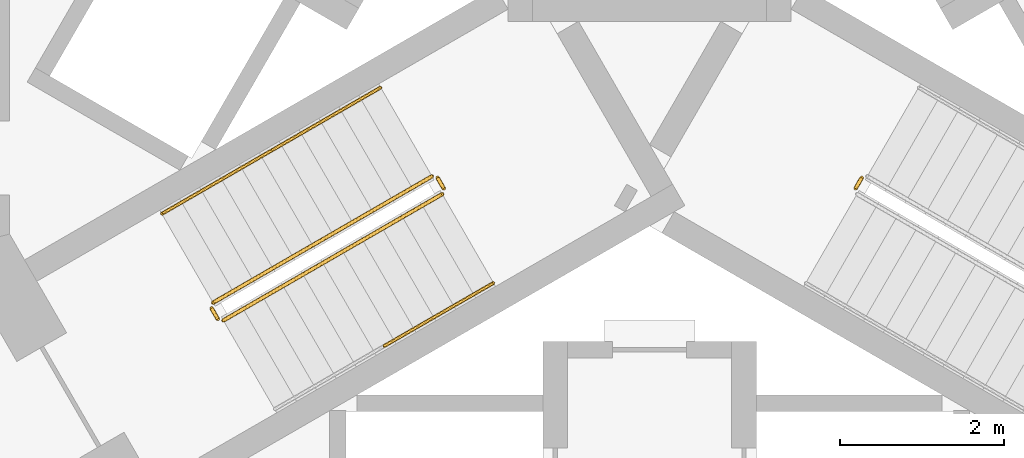
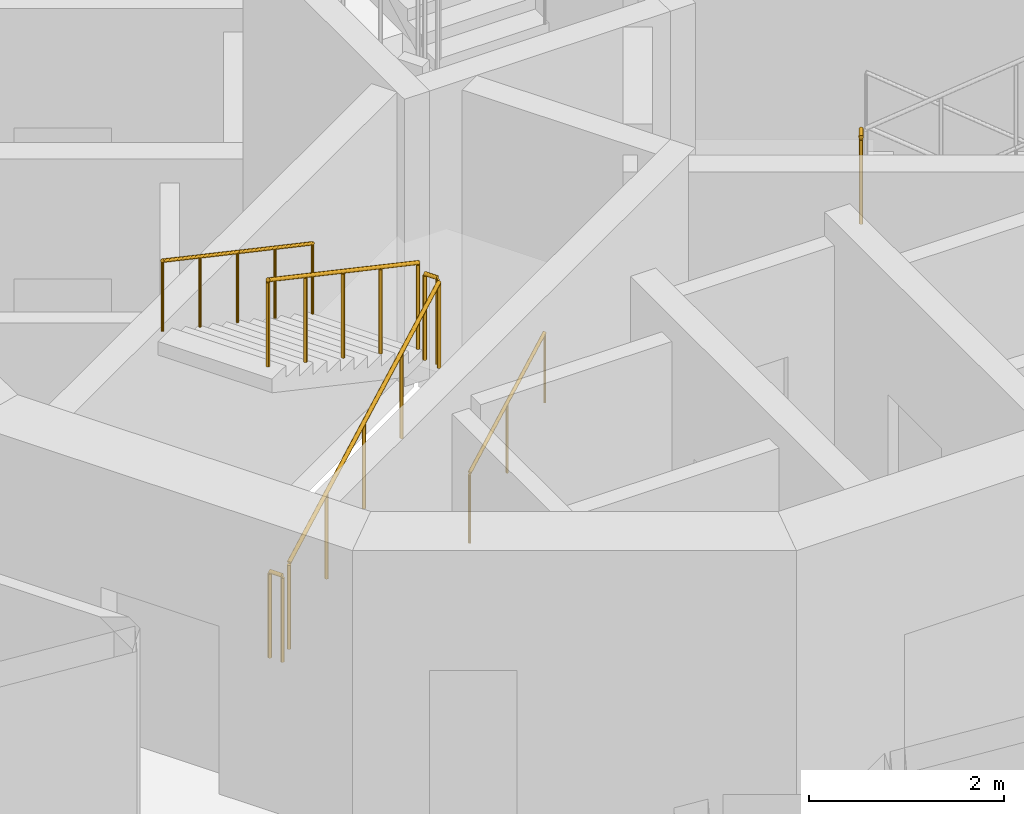
# One storey, part 12 of 17: 8 railings.
"""IFC4 building model written with IfcOpenShell, lengths in metres."""

from ifc_helpers import new_model, si_unit, direction, frame, origin, origin_2d, place, context, subcontext, project, spatial, circle, extrude, material, type_object, element, save


model = new_model("IFC4")

# Units and contexts
model_context = context("Model", 3, precision=1e-05, world=origin(), true_north=direction((0.0, 1.0)))
body_context = subcontext(model_context, "Body", "Model", "MODEL_VIEW")
ifc_project = project(units=[si_unit("LENGTHUNIT", "METRE"), si_unit("AREAUNIT", "SQUARE_METRE"), si_unit("VOLUMEUNIT", "CUBIC_METRE"), si_unit("PLANEANGLEUNIT", "RADIAN"), si_unit("MASSUNIT", "GRAM", prefix="KILO")], contexts=[model_context])

# Site, building, storey
site_placement = place(None, origin())
site = spatial("IfcSite", under=ifc_project, at=site_placement, CompositionType="ELEMENT")
building_placement = place(site_placement, origin())
building = spatial("IfcBuilding", under=site, at=building_placement, Name="Trine Commons Tower", CompositionType="ELEMENT")
storey_placement = place(building_placement, frame((0.0, 0.0, 216.0)))
storey = spatial("IfcBuildingStorey", under=building, at=storey_placement, Name="L56", CompositionType="ELEMENT", Elevation=216.0)

# Railings
ifc_material_1 = material(Name="Stainless steel balustrade", Category="steel")
railing_type_1 = type_object("IfcRailingType", Name="Stair guard, steel balustrade 1100", PredefinedType="GUARDRAIL", material=ifc_material_1)
railing_1_placement = place(storey_placement, frame((74.80517578125, 59.3564453125, 0.14990234375)))
element("IfcRailing", 1, at=railing_1_placement, inside=storey, type_object=railing_type_1, Name="L56 ST2C stair guard 1", PredefinedType="GUARDRAIL", context=body_context, shape_type="SweptSolid", body=[
    extrude(circle(Radius=0.02392578125, at=origin_2d()), frame((0.0, 0.0, 1.076171875), z_axis=(0.763379768245, 0.440728498818, 0.472239049384), x_axis=(-0.499992328818, 0.866029832698, 0.0)), (0.0, 0.0, 1.0), 3.494384765625),
    extrude(circle(Radius=0.02099609375, at=origin_2d()), origin(), (0.0, 0.0, 1.0), 1.052001953125),
    extrude(circle(Radius=0.02099609375, at=origin_2d()), frame((0.6669921875, 0.385009765625, 0.41259765625)), (0.0, 0.0, 1.0), 1.052001953125),
    extrude(circle(Radius=0.02099609375, at=origin_2d()), frame((1.333740234375, 0.77001953125, 0.8251953125)), (0.0, 0.0, 1.0), 1.052001953125),
    extrude(circle(Radius=0.02099609375, at=origin_2d()), frame((2.00048828125, 1.155029296875, 1.237548828125)), (0.0, 0.0, 1.0), 1.052001953125),
    extrude(circle(Radius=0.02099609375, at=origin_2d()), frame((2.66748046875, 1.5400390625, 1.650146484375)), (0.0, 0.0, 1.0), 1.052001953125),
])
railing_2_placement = place(storey_placement, frame((77.490966796875, 60.96484375, 1.800048828125)))
element("IfcRailing", 2, at=railing_2_placement, inside=storey, type_object=railing_type_1, Name="L56 ST2C stair guard 2", PredefinedType="GUARDRAIL", context=body_context, shape_type="SweptSolid", body=[
    extrude(circle(Radius=0.02392578125, at=origin_2d()), frame((0.0, 0.0, 1.076171875), z_axis=(-0.501036270542, 0.865426285481, 0.0), x_axis=(-0.865426285481, -0.501036270542, 0.0)), (0.0, 0.0, 1.0), 0.150146484375),
    extrude(circle(Radius=0.02099609375, at=origin_2d()), origin(), (0.0, 0.0, 1.0), 1.052001953125),
    extrude(circle(Radius=0.02099609375, at=origin_2d()), frame((-0.0751953125, 0.1298828125, 0.0)), (0.0, 0.0, 1.0), 1.052001953125),
])
railing_3_placement = place(storey_placement, frame((77.34765625, 61.113037109375, 1.949951171875)))
element("IfcRailing", 3, at=railing_3_placement, inside=storey, type_object=railing_type_1, Name="L56 ST2C stair guard 3", PredefinedType="GUARDRAIL", context=body_context, shape_type="SweptSolid", body=[
    extrude(circle(Radius=0.02392578125, at=origin_2d()), frame((0.0, 0.0, 1.076171875), z_axis=(-0.763379768245, -0.440728498818, 0.472239049384), x_axis=(0.499992328818, -0.866029832698, 0.0)), (0.0, 0.0, 1.0), 3.494384765625),
    extrude(circle(Radius=0.02099609375, at=origin_2d()), origin(), (0.0, 0.0, 1.0), 1.052001953125),
    extrude(circle(Radius=0.02099609375, at=origin_2d()), frame((-0.6669921875, -0.385009765625, 0.41259765625)), (0.0, 0.0, 1.0), 1.052001953125),
    extrude(circle(Radius=0.02099609375, at=origin_2d()), frame((-1.333740234375, -0.77001953125, 0.8251953125)), (0.0, 0.0, 1.0), 1.052001953125),
    extrude(circle(Radius=0.02099609375, at=origin_2d()), frame((-2.00048828125, -1.155029296875, 1.237548828125)), (0.0, 0.0, 1.0), 1.052001953125),
    extrude(circle(Radius=0.02099609375, at=origin_2d()), frame((-2.66748046875, -1.5400390625, 1.650146484375)), (0.0, 0.0, 1.0), 1.052001953125),
])
railing_4_placement = place(storey_placement, frame((74.73681640625, 59.374755859375, 0.0)))
element("IfcRailing", 4, at=railing_4_placement, inside=storey, type_object=railing_type_1, Name="L56 ST2C stair guard 4", PredefinedType="GUARDRAIL", context=body_context, shape_type="SweptSolid", body=[
    extrude(circle(Radius=0.02392578125, at=origin_2d()), frame((0.0, 0.0, 1.076171875), z_axis=(-0.499816412211, 0.866131372301, 0.0), x_axis=(-0.866131372301, -0.499816412211, 0.0)), (0.0, 0.0, 1.0), 0.14990234375),
    extrude(circle(Radius=0.02099609375, at=origin_2d()), origin(), (0.0, 0.0, 1.0), 1.052001953125),
    extrude(circle(Radius=0.02099609375, at=origin_2d()), frame((-0.074951171875, 0.1298828125, 0.0)), (0.0, 0.0, 1.0), 1.052001953125),
])
railing_5_placement = place(storey_placement, frame((82.584228515625, 61.0947265625, 1.800048828125)))
element("IfcRailing", 5, at=railing_5_placement, inside=storey, type_object=railing_type_1, Name="L56 ST3C stair guard 2", PredefinedType="GUARDRAIL", context=body_context, shape_type="SweptSolid", body=[
    extrude(circle(Radius=0.02392578125, at=origin_2d()), frame((0.0, 0.0, 1.076171875), z_axis=(-0.501036270542, -0.865426285481, 0.0), x_axis=(0.865426285481, -0.501036270542, 0.0)), (0.0, 0.0, 1.0), 0.150146484375),
    extrude(circle(Radius=0.02099609375, at=origin_2d()), origin(), (0.0, 0.0, 1.0), 1.052001953125),
    extrude(circle(Radius=0.02099609375, at=origin_2d()), frame((-0.0751953125, -0.1298828125, 0.0)), (0.0, 0.0, 1.0), 1.052001953125),
])
ifc_material_2 = material(Name="Stainless steel handrail", Category="steel")
railing_type_2 = type_object("IfcRailingType", Name="Stair handrail, steel 900", PredefinedType="HANDRAIL", material=ifc_material_2)
railing_6_placement = place(storey_placement, frame((76.763916015625, 59.0439453125, 0.97509765625)))
element("IfcRailing", 6, at=railing_6_placement, inside=storey, type_object=railing_type_2, Name="L56 ST2C stair handrail 2", PredefinedType="HANDRAIL", context=body_context, shape_type="SweptSolid", body=[
    extrude(circle(Radius=0.02099609375, at=origin_2d()), frame((0.0, 0.0, 0.87890625), z_axis=(0.76340495495, 0.440743040072, 0.472184759798), x_axis=(-0.499992328818, 0.866029832698, 0.0)), (0.0, 0.0, 1.0), 1.7470703125),
    extrude(circle(Radius=0.01513671875, at=origin_2d()), origin(), (0.0, 0.0, 1.0), 0.85791015625),
    extrude(circle(Radius=0.01513671875, at=origin_2d()), frame((0.6669921875, 0.385009765625, 0.41259765625)), (0.0, 0.0, 1.0), 0.85791015625),
    extrude(circle(Radius=0.01513671875, at=origin_2d()), frame((1.333740234375, 0.77001953125, 0.824951171875)), (0.0, 0.0, 1.0), 0.85791015625),
])
railing_7_placement = place(storey_placement, frame((76.72265625, 62.195556640625, 1.949951171875)))
element("IfcRailing", 7, at=railing_7_placement, inside=storey, type_object=railing_type_2, Name="L56 ST2C stair handrail 3", PredefinedType="HANDRAIL", context=body_context, shape_type="SweptSolid", body=[
    extrude(circle(Radius=0.02099609375, at=origin_2d()), frame((0.0, 0.0, 0.87890625), z_axis=(-0.76340495495, -0.440743040072, 0.472184759798), x_axis=(0.499992328818, -0.866029832698, 0.0)), (0.0, 0.0, 1.0), 1.7470703125),
    extrude(circle(Radius=0.01513671875, at=origin_2d()), origin(), (0.0, 0.0, 1.0), 0.85791015625),
    extrude(circle(Radius=0.01513671875, at=origin_2d()), frame((-0.6669921875, -0.385009765625, 0.41259765625)), (0.0, 0.0, 1.0), 0.85791015625),
    extrude(circle(Radius=0.01513671875, at=origin_2d()), frame((-1.333740234375, -0.77001953125, 0.824951171875)), (0.0, 0.0, 1.0), 0.85791015625),
])
railing_8_placement = place(storey_placement, frame((75.388916015625, 61.425537109375, 2.77490234375)))
element("IfcRailing", 8, at=railing_8_placement, inside=storey, type_object=railing_type_2, Name="L56 ST2C stair handrail 4", PredefinedType="HANDRAIL", context=body_context, shape_type="SweptSolid", body=[
    extrude(circle(Radius=0.02099609375, at=origin_2d()), frame((0.0, 0.0, 0.87890625), z_axis=(-0.763354580307, -0.440713956853, 0.472293333596), x_axis=(0.499992328818, -0.866029832698, 0.0)), (0.0, 0.0, 1.0), 1.747314453125),
    extrude(circle(Radius=0.01513671875, at=origin_2d()), origin(), (0.0, 0.0, 1.0), 0.85791015625),
    extrude(circle(Radius=0.01513671875, at=origin_2d()), frame((-0.6669921875, -0.385009765625, 0.41259765625)), (0.0, 0.0, 1.0), 0.85791015625),
    extrude(circle(Radius=0.01513671875, at=origin_2d()), frame((-1.333740234375, -0.77001953125, 0.8251953125)), (0.0, 0.0, 1.0), 0.85791015625),
])

save(model, "model.ifc")
